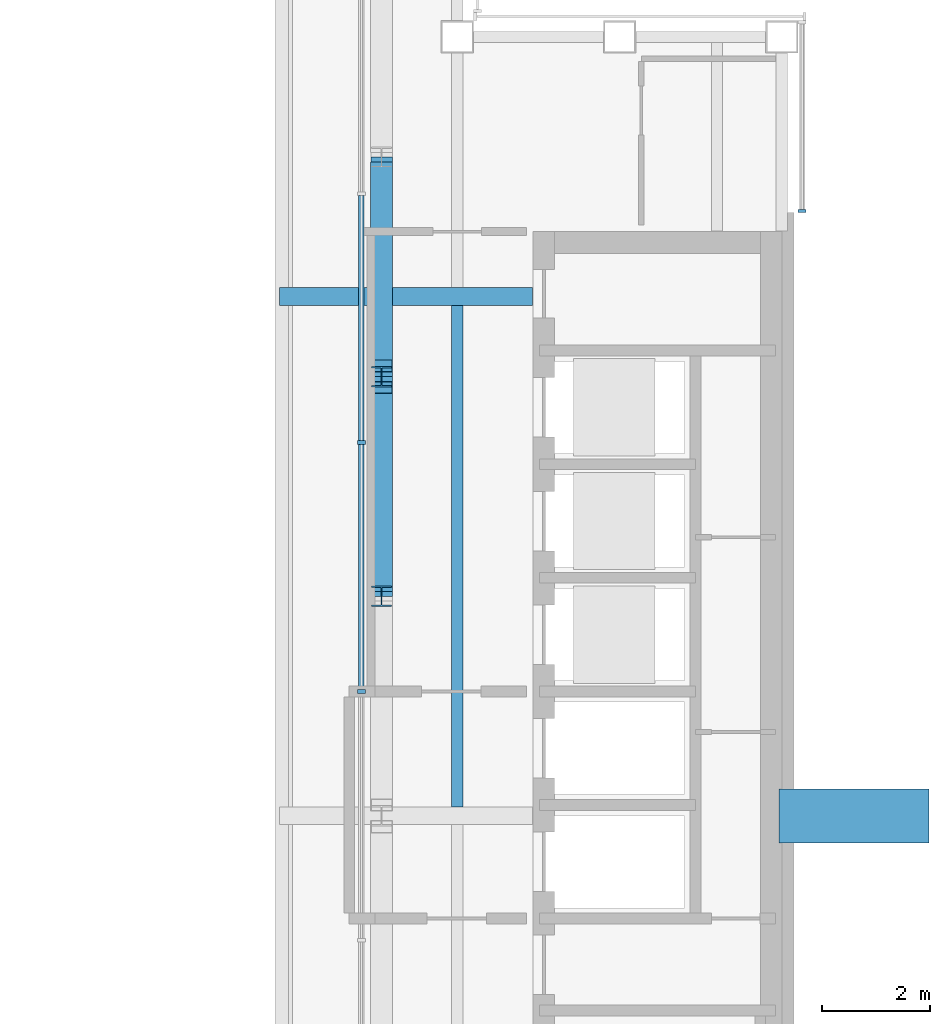
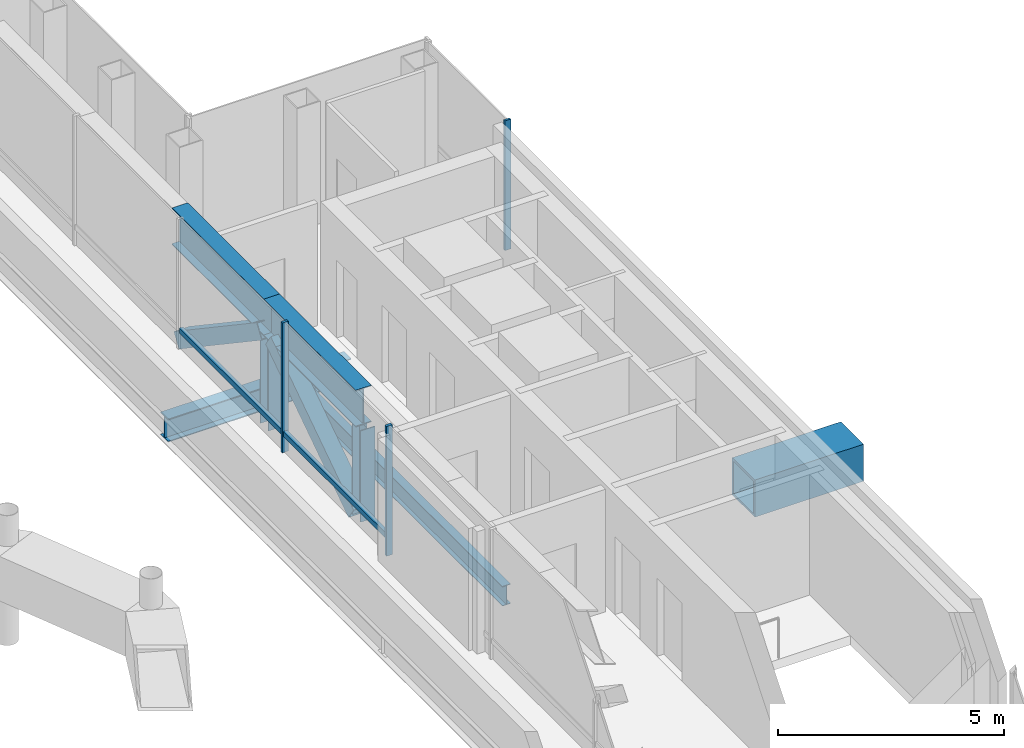
# One storey, part 8 of 16: 11 members, 3 beams, 2 elements without a shape of their own.
"""IFC4 building model written with IfcOpenShell, lengths in metres."""

from ifc_helpers import new_model, si_unit, direction, frame, origin, origin_2d, place, context, subcontext, project, spatial, rectangle, hollow_rectangle, i_section, extrude, material, material_profile, profile_set, type_object, element, aggregate, save


model = new_model("IFC4")

# Units and contexts
model_context = context("Model", 3, precision=1e-05, world=origin(), true_north=direction((0.0, 1.0)))
body_context = subcontext(model_context, "Body", "Model", "MODEL_VIEW")
ifc_project = project(units=[si_unit("LENGTHUNIT", "METRE"), si_unit("AREAUNIT", "SQUARE_METRE"), si_unit("VOLUMEUNIT", "CUBIC_METRE"), si_unit("PLANEANGLEUNIT", "RADIAN"), si_unit("MASSUNIT", "GRAM", prefix="KILO")], contexts=[model_context])

# Site, building, storey
site_placement = place(None, origin())
site = spatial("IfcSite", under=ifc_project, at=site_placement, CompositionType="ELEMENT")
building_placement = place(site_placement, origin())
building = spatial("IfcBuilding", under=site, at=building_placement, Name="Cobrizo Arcos Hotel Tower", CompositionType="ELEMENT")
storey_placement = place(building_placement, frame((0.0, 0.0, 286.5)))
storey = spatial("IfcBuildingStorey", under=building, at=storey_placement, Name="L76", CompositionType="ELEMENT", Elevation=286.5)

# Beam
ifc_material_1 = material(Name="Steel ASTM A572 Grade 50", Category="steel")
ifc_material_profile_1 = material_profile(ifc_material_1, hollow_rectangle(XDim=1.0, YDim=1.0, WallThickness=0.06005859375, at=origin_2d()), Name="BOX 1000X1000X60")
ifc_profile_set_1 = profile_set([ifc_material_profile_1], Name="Steel ASTM A572 Grade 50")
beam_type_1 = type_object("IfcBeamType", Name="BOX 1000X1000X60 brace connector strut", PredefinedType="BEAM", material=ifc_profile_set_1)
beam_1_placement = place(storey_placement, frame((20.35009765625, 0.0, 0.5), z_axis=(1.0, 0.0, 0.0), x_axis=(0.0, 1.0, 0.0)))
element("IfcBeam", 1, at=beam_1_placement, inside=storey, type_object=beam_type_1, Name="Perimeter brace stub BS1, zone Z5, east face, offset +0.00 m, L76", PredefinedType="BEAM", context=body_context, shape_type="SweptSolid", body=[
    extrude(hollow_rectangle(XDim=1.0, YDim=1.0, WallThickness=0.06005859375, at=origin_2d()), origin(), (0.0, 0.0, 1.0), 2.77001953125),
])

# Curtain wall, member
ifc_material_2 = material(Name="Aluminium 6063-T6 anodised bronze", Category="aluminium")
curtain_wall_type_1 = type_object("IfcCurtainWallType", Name="CW-A guest facade", PredefinedType="NOTDEFINED", material=ifc_material_2)
curtain_wall_1_placement = place(storey_placement, origin())
curtain_wall_1 = element("IfcCurtainWall", 2, at=curtain_wall_1_placement, inside=storey, type_object=curtain_wall_type_1, Name="CW-A L76 E face", PredefinedType="NOTDEFINED")
ifc_material_profile_2 = material_profile(ifc_material_2, rectangle(XDim=0.14990234375, YDim=0.06005859375, at=origin_2d()), Name="CW-A mullion 150x60")
ifc_profile_set_2 = profile_set([ifc_material_profile_2], Name="Aluminium 6063-T6 anodised bronze")
member_type_1 = type_object("IfcMemberType", Name="CW-A mullion 150x60", PredefinedType="MULLION", material=ifc_profile_set_2)
member_1_placement = place(storey_placement, frame((20.77490234375, 11.179931640625, 0.0), z_axis=(0.0, 0.0, 1.0), x_axis=(1.0, 0.0, 0.0)))
member_1 = element("IfcMember", 3, at=member_1_placement, type_object=member_type_1, Name="CW-A mullion 1", PredefinedType="MULLION", context=body_context, shape_type="SweptSolid", body=[
    extrude(rectangle(XDim=0.14990234375, YDim=0.06005859375, at=origin_2d()), origin(), (0.0, 0.0, 1.0), 3.5),
])
aggregate(curtain_wall_1, [member_1])

# Curtain wall, members
curtain_wall_type_2 = type_object("IfcCurtainWallType", Name="CW-C arch infill and crown glazing", PredefinedType="NOTDEFINED", material=ifc_material_2)
curtain_wall_2_placement = place(storey_placement, origin())
curtain_wall_2 = element("IfcCurtainWall", 4, at=curtain_wall_2_placement, inside=storey, type_object=curtain_wall_type_2, Name="CW-C L76 W face", PredefinedType="NOTDEFINED")
ifc_material_profile_3 = material_profile(ifc_material_2, rectangle(XDim=0.14990234375, YDim=0.070068359375, at=origin_2d()), Name="CW-C mullion 150x70")
ifc_profile_set_3 = profile_set([ifc_material_profile_3], Name="Aluminium 6063-T6 anodised bronze")
member_type_2 = type_object("IfcMemberType", Name="CW-C mullion 150x70", PredefinedType="MULLION", material=ifc_profile_set_3)
member_2_placement = place(storey_placement, frame((12.625, 6.89990234375, 0.0), z_axis=(0.0, 0.0, 1.0), x_axis=(-1.0, 0.0, 0.0)))
member_2 = element("IfcMember", 5, at=member_2_placement, type_object=member_type_2, Name="CW-C mullion 4", PredefinedType="MULLION", context=body_context, shape_type="SweptSolid", body=[
    extrude(rectangle(XDim=0.14990234375, YDim=0.070068359375, at=origin_2d()), origin(), (0.0, 0.0, 1.0), 3.5),
])
member_3_placement = place(storey_placement, frame((12.625, 2.300048828125, 0.0), z_axis=(0.0, 0.0, 1.0), x_axis=(-1.0, 0.0, 0.0)))
member_3 = element("IfcMember", 6, at=member_3_placement, type_object=member_type_2, Name="CW-C mullion 5", PredefinedType="MULLION", context=body_context, shape_type="SweptSolid", body=[
    extrude(rectangle(XDim=0.14990234375, YDim=0.070068359375, at=origin_2d()), origin(), (0.0, 0.0, 1.0), 3.5),
])
ifc_material_profile_4 = material_profile(ifc_material_2, rectangle(XDim=0.10009765625, YDim=0.139892578125, at=origin_2d()), Name="CW-C transom 140x100")
ifc_profile_set_4 = profile_set([ifc_material_profile_4], Name="Aluminium 6063-T6 anodised bronze")
member_type_3 = type_object("IfcMemberType", Name="CW-C transom 140x100", PredefinedType="USERDEFINED", material=ifc_profile_set_4)
member_4_placement = place(storey_placement, frame((12.625, 11.465087890625, 0.5), z_axis=(0.0, -1.0, 0.0), x_axis=(1.0, 0.0, 0.0)))
member_4 = element("IfcMember", 7, at=member_4_placement, type_object=member_type_3, Name="CW-C transom 2395", ObjectType="TRANSOM", PredefinedType="USERDEFINED", context=body_context, shape_type="SweptSolid", body=[
    extrude(rectangle(XDim=0.10009765625, YDim=0.139892578125, at=origin_2d()), origin(), (0.0, 0.0, 1.0), 4.530029296875),
])
member_5_placement = place(storey_placement, frame((12.625, 6.864990234375, 0.5), z_axis=(0.0, -1.0, 0.0), x_axis=(1.0, 0.0, 0.0)))
member_5 = element("IfcMember", 8, at=member_5_placement, type_object=member_type_3, Name="CW-C transom 2396", ObjectType="TRANSOM", PredefinedType="USERDEFINED", context=body_context, shape_type="SweptSolid", body=[
    extrude(rectangle(XDim=0.10009765625, YDim=0.139892578125, at=origin_2d()), origin(), (0.0, 0.0, 1.0), 4.530029296875),
])
aggregate(curtain_wall_2, [member_2, member_3, member_4, member_5])

# Members
ifc_material_3 = material(Name="Steel ASTM A500 Grade C", Category="steel")
ifc_material_profile_5 = material_profile(ifc_material_3, hollow_rectangle(XDim=0.406494140625, YDim=0.406494140625, WallThickness=0.014892578125, at=origin_2d()), Name="HSS16X16X5/8")
ifc_profile_set_5 = profile_set([ifc_material_profile_5], Name="Steel ASTM A500 Grade C")
member_type_4 = type_object("IfcMemberType", Name="HSS16X16X5/8 crown edge truss diagonal", PredefinedType="BRACE", material=ifc_profile_set_5)
for number, where, z_axis, x_axis, name in (
    (9, (13.0, 4.259033203125, -0.14990234375), (0.0, 0.829974292143, 0.557801644299), (-1.0, 0.0, 0.0), "Crown truss diagonal CD1, east side, no. 06"),
    (10, (13.0, 8.318115234375, 2.309326171875), (0.0, 0.829974292143, -0.557801644299), (-1.0, 0.0, 0.0), "Crown truss diagonal CD1, east side, no. 07"),
):
    element("IfcMember", number, at=place(storey_placement, frame(where, z_axis=z_axis, x_axis=x_axis)), inside=storey, type_object=member_type_4, Name=name, PredefinedType="BRACE", context=body_context, shape_type="SweptSolid", body=[
        extrude(hollow_rectangle(XDim=0.406494140625, YDim=0.406494140625, WallThickness=0.014892578125, at=origin_2d()), origin(), (0.0, 0.0, 1.0), 4.40869140625),
    ])
ifc_material_4 = material(Name="Steel ASTM A992 Grade 50", Category="steel")
ifc_material_profile_6 = material_profile(ifc_material_4, i_section(OverallWidth=0.373291015625, OverallDepth=0.373291015625, WebThickness=0.016357421875, FlangeThickness=0.026123046875, at=origin_2d()), Name="W14X132")
ifc_profile_set_6 = profile_set([ifc_material_profile_6], Name="Steel ASTM A992 Grade 50")
member_type_5 = type_object("IfcMemberType", Name="W14X132 crown edge truss post", PredefinedType="POST", material=ifc_profile_set_6)
for number, where, z_axis, x_axis, name in (
    (11, (13.0, 4.05908203125, -0.14990234375), (0.0, 0.0, 1.0), (1.0, 0.0, 0.0), "Crown truss post CP1, east side, no. 06"),
    (12, (13.0, 8.1181640625, -0.14990234375), (0.0, 0.0, 1.0), (1.0, 0.0, 0.0), "Crown truss post CP1, east side, no. 07"),
):
    element("IfcMember", number, at=place(storey_placement, frame(where, z_axis=z_axis, x_axis=x_axis)), inside=storey, type_object=member_type_5, Name=name, PredefinedType="POST", context=body_context, shape_type="SweptSolid", body=[
        extrude(i_section(OverallWidth=0.373291015625, OverallDepth=0.373291015625, WebThickness=0.016357421875, FlangeThickness=0.026123046875, at=origin_2d()), origin(), (0.0, 0.0, 1.0), 2.459228515625),
    ])

# Beams
ifc_material_profile_7 = material_profile(ifc_material_4, i_section(OverallWidth=0.209228515625, OverallDepth=0.533447265625, WebThickness=0.01025390625, FlangeThickness=0.015625, at=origin_2d()), Name="W21X62")
ifc_profile_set_7 = profile_set([ifc_material_profile_7], Name="Steel ASTM A992 Grade 50")
beam_type_2 = type_object("IfcBeamType", Name="W21X62 joist", PredefinedType="JOIST", material=ifc_profile_set_7)
beam_2_placement = place(storey_placement, frame((14.39990234375, 0.163818359375, -0.416748046875), z_axis=(0.0, 1.0, 0.0), x_axis=(-1.0, 0.0, 0.0)))
element("IfcBeam", 13, at=beam_2_placement, inside=storey, type_object=beam_type_2, Name="Floor joist J1, L76, no. 009", PredefinedType="JOIST", context=body_context, shape_type="SweptSolid", body=[
    extrude(i_section(OverallWidth=0.209228515625, OverallDepth=0.533447265625, WebThickness=0.01025390625, FlangeThickness=0.015625, at=origin_2d()), origin(), (0.0, 0.0, 1.0), 9.272216796875),
])
ifc_material_profile_8 = material_profile(ifc_material_4, i_section(OverallWidth=0.32763671875, OverallDepth=0.622314453125, WebThickness=0.015380859375, FlangeThickness=0.0244140625, at=origin_2d()), Name="W24X131")
ifc_profile_set_8 = profile_set([ifc_material_profile_8], Name="Steel ASTM A992 Grade 50")
beam_type_3 = type_object("IfcBeamType", Name="W24X131 girder", PredefinedType="BEAM", material=ifc_profile_set_8)
beam_3_placement = place(storey_placement, frame((11.115966796875, 9.60009765625, -0.461181640625), z_axis=(1.0, 0.0, 0.0), x_axis=(0.0, 1.0, 0.0)))
element("IfcBeam", 14, at=beam_3_placement, inside=storey, type_object=beam_type_3, Name="Floor girder G1, L76, no. 006", PredefinedType="BEAM", context=body_context, shape_type="SweptSolid", body=[
    extrude(i_section(OverallWidth=0.32763671875, OverallDepth=0.622314453125, WebThickness=0.015380859375, FlangeThickness=0.0244140625, at=origin_2d()), origin(), (0.0, 0.0, 1.0), 4.674072265625),
])

# Members
ifc_material_profile_9 = material_profile(ifc_material_4, i_section(OverallWidth=0.4013671875, OverallDepth=0.990478515625, WebThickness=0.0166015625, FlangeThickness=0.025390625, at=origin_2d()), Name="W40X215")
ifc_profile_set_9 = profile_set([ifc_material_profile_9], Name="Steel ASTM A992 Grade 50")
member_type_6 = type_object("IfcMemberType", Name="W40X215 crown edge truss chord", PredefinedType="CHORD", material=ifc_profile_set_9)
for number, where, z_axis, x_axis, name in (
    (15, (13.0, 4.05908203125, 2.8046875), (0.0, 1.0, 0.0), (-1.0, 0.0, 0.0), "Crown truss top chord CC1, east side, no. 06"),
    (16, (13.0, 8.1181640625, 2.8046875), (0.0, 1.0, 0.0), (-1.0, 0.0, 0.0), "Crown truss top chord CC1, east side, no. 07"),
):
    element("IfcMember", number, at=place(storey_placement, frame(where, z_axis=z_axis, x_axis=x_axis)), inside=storey, type_object=member_type_6, Name=name, PredefinedType="CHORD", context=body_context, shape_type="SweptSolid", body=[
        extrude(i_section(OverallWidth=0.4013671875, OverallDepth=0.990478515625, WebThickness=0.0166015625, FlangeThickness=0.025390625, at=origin_2d()), origin(), (0.0, 0.0, 1.0), 4.05908203125),
    ])

save(model, "model.ifc")
